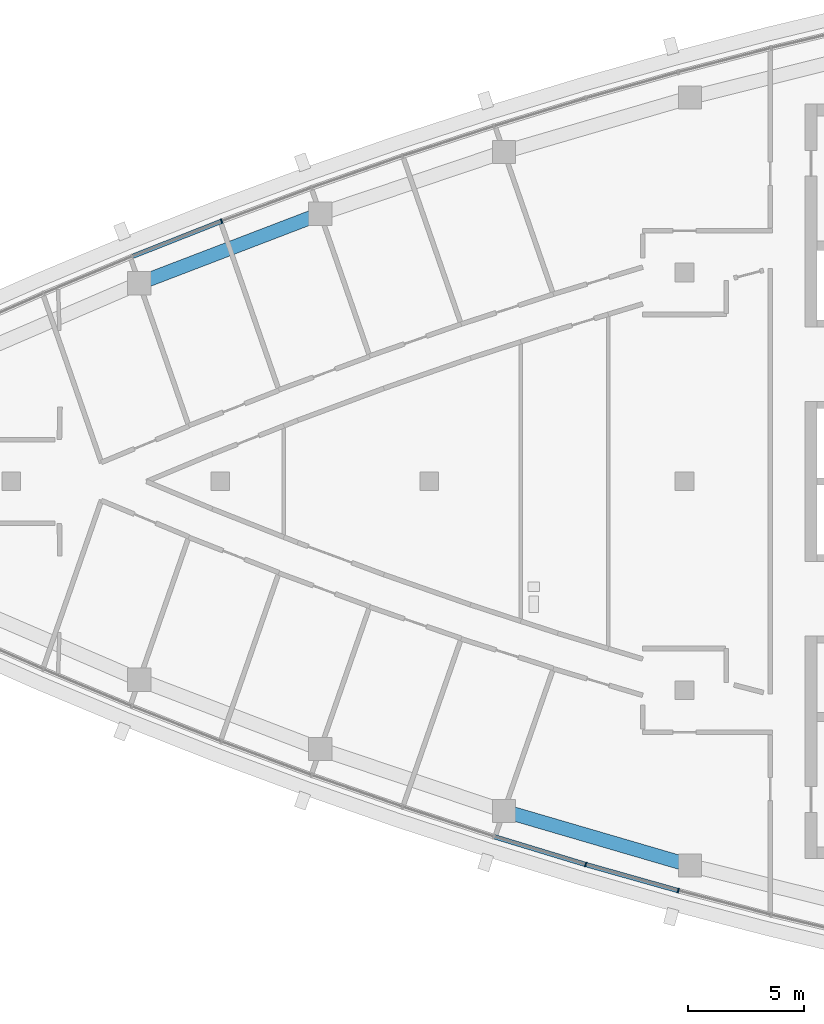
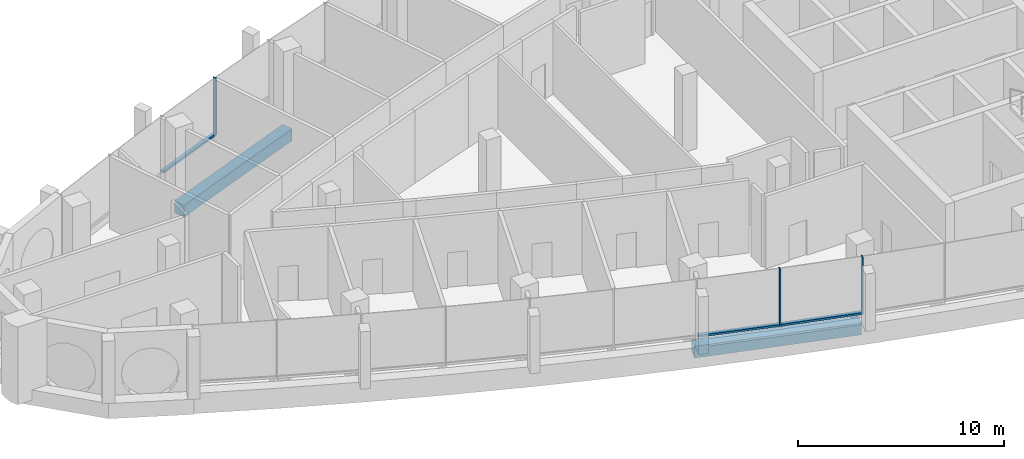
# One storey, part 3 of 15: 6 members, 2 beams, 2 elements without a shape of their own.
"""IFC4 building model written with IfcOpenShell, lengths in metres."""

from ifc_helpers import new_model, si_unit, direction, frame, origin, origin_2d, place, context, subcontext, project, spatial, rectangle, extrude, material, layer, layer_set, material_profile, profile_set, type_object, element, aggregate, save


model = new_model("IFC4")

# Units and contexts
model_context = context("Model", 3, precision=1e-05, world=origin(), true_north=direction((0.0, 1.0)))
body_context = subcontext(model_context, "Body", "Model", "MODEL_VIEW")
ifc_project = project(units=[si_unit("LENGTHUNIT", "METRE"), si_unit("AREAUNIT", "SQUARE_METRE"), si_unit("VOLUMEUNIT", "CUBIC_METRE"), si_unit("PLANEANGLEUNIT", "RADIAN"), si_unit("MASSUNIT", "GRAM", prefix="KILO")], contexts=[model_context])

# Site, building, storey
site_placement = place(None, origin())
site = spatial("IfcSite", under=ifc_project, at=site_placement, CompositionType="ELEMENT")
building_placement = place(site_placement, origin())
building = spatial("IfcBuilding", under=site, at=building_placement, Name="Ostrand Prow Hotel Tower", CompositionType="ELEMENT")
storey_placement = place(building_placement, frame((0.0, 0.0, 308.60009765625)))
storey = spatial("IfcBuildingStorey", under=building, at=storey_placement, Name="C1", CompositionType="ELEMENT", Elevation=308.60009765625)

# Beams
ifc_material_1 = material(Name="Concrete C40/50", Category="concrete")
ifc_material_profile_1 = material_profile(ifc_material_1, rectangle(XDim=0.60009765625, YDim=0.699951171875, at=origin_2d()), Name="RC 600x700")
ifc_profile_set_1 = profile_set([ifc_material_profile_1], Name="Concrete C40/50")
beam_type = type_object("IfcBeamType", Name="Edge beam 600x700 C40/50", PredefinedType="SPANDREL", material=ifc_profile_set_1)
for number, where, z_axis, x_axis, name in (
    (1, (37.22119140625, -14.19580078125, -0.650146484375), (0.959821966031, -0.280609681809, 0.0), (0.280609681809, 0.959821966031, 0.0), "Edge beam S4-S5"),
    (2, (29.31005859375, 11.528076171875, -0.650146484375), (-0.933761753797, -0.357895218111, 0.0), (0.357895218111, -0.933761753797, 0.0), "Edge beam N4-N5"),
):
    element("IfcBeam", number, at=place(storey_placement, frame(where, z_axis=z_axis, x_axis=x_axis)), inside=storey, type_object=beam_type, Name=name, PredefinedType="SPANDREL", context=body_context, shape_type="SweptSolid", body=[
        extrude(rectangle(XDim=0.60009765625, YDim=0.699951171875, at=origin_2d()), origin(), (0.0, 0.0, 1.0), 8.348876953125),
    ])

# Curtain wall, members
ifc_material_2 = material(Name="Insulated glass in bronze anodised frame", Category="glass")
ifc_layer = layer(ifc_material_2, 0.199951171875)
ifc_layer_set = layer_set([ifc_layer], Name="Insulated glass in bronze anodised frame")
curtain_wall_type = type_object("IfcCurtainWallType", Name="Observation and restaurant glazing wall", PredefinedType="NOTDEFINED", material=ifc_layer_set)
curtain_wall_1_placement = place(storey_placement, origin())
curtain_wall_1 = element("IfcCurtainWall", 3, at=curtain_wall_1_placement, inside=storey, type_object=curtain_wall_type, Name="CW6 run CWS4", PredefinedType="NOTDEFINED")
ifc_material_3 = material(Name="Bronze anodised aluminium", Category="aluminium")
ifc_material_profile_2 = material_profile(ifc_material_3, rectangle(XDim=0.199951171875, YDim=0.06005859375, at=origin_2d()), Name="Mullion 60x200 bronze anodised aluminium")
ifc_profile_set_2 = profile_set([ifc_material_profile_2], Name="Bronze anodised aluminium")
member_type_1 = type_object("IfcMemberType", Name="Mullion 60x200 bronze anodised aluminium", PredefinedType="MULLION", material=ifc_profile_set_2)
member_1_placement = place(storey_placement, frame((40.744384765625, -16.502197265625, 0.89990234375), z_axis=(0.0, 0.0, 1.0), x_axis=(0.271648738865, 0.962396468548, 0.0)))
member_1 = element("IfcMember", 4, at=member_1_placement, type_object=member_type_1, Name="CW6 mullion 2", PredefinedType="MULLION", context=body_context, shape_type="SweptSolid", body=[
    extrude(rectangle(XDim=0.199951171875, YDim=0.06005859375, at=origin_2d()), origin(), (0.0, 0.0, 1.0), 3.39990234375),
])
member_2_placement = place(storey_placement, frame((44.728515625, -17.626708984375, 0.89990234375), z_axis=(0.0, 0.0, 1.0), x_axis=(0.271648738865, 0.962396468548, 0.0)))
member_2 = element("IfcMember", 5, at=member_2_placement, type_object=member_type_1, Name="CW6 mullion 3", PredefinedType="MULLION", context=body_context, shape_type="SweptSolid", body=[
    extrude(rectangle(XDim=0.199951171875, YDim=0.06005859375, at=origin_2d()), origin(), (0.0, 0.0, 1.0), 3.39990234375),
])

# Curtain wall, member
curtain_wall_2_placement = place(storey_placement, origin())
curtain_wall_2 = element("IfcCurtainWall", 6, at=curtain_wall_2_placement, inside=storey, type_object=curtain_wall_type, Name="CW6 run CWN4", PredefinedType="NOTDEFINED")
member_3_placement = place(storey_placement, frame((25.05810546875, 11.210205078125, 0.89990234375), z_axis=(0.0, 0.0, 1.0), x_axis=(0.366845465248, -0.930281895249, 0.0)))
member_3 = element("IfcMember", 7, at=member_3_placement, type_object=member_type_1, Name="CW6 mullion 2", PredefinedType="MULLION", context=body_context, shape_type="SweptSolid", body=[
    extrude(rectangle(XDim=0.199951171875, YDim=0.06005859375, at=origin_2d()), origin(), (0.0, 0.0, 1.0), 3.39990234375),
])

# Member
ifc_material_4 = material(Name="Bronze anodised aluminium", Category="aluminium")
ifc_material_profile_3 = material_profile(ifc_material_4, rectangle(XDim=0.199951171875, YDim=0.1201171875, at=origin_2d()), Name="Transom 120x200 bronze anodised aluminium")
ifc_profile_set_3 = profile_set([ifc_material_profile_3], Name="Bronze anodised aluminium")
member_type_2 = type_object("IfcMemberType", Name="Transom 120x200 bronze anodised aluminium", PredefinedType="USERDEFINED", material=ifc_profile_set_3)
member_4_placement = place(storey_placement, frame((36.8125, -15.306396484375, 0.9599609375), z_axis=(0.956739081124, -0.290947298751, 0.0), x_axis=(0.290947298751, 0.956739081124, 0.0)))
member_4 = element("IfcMember", 8, at=member_4_placement, type_object=member_type_2, Name="CW6 transom 1.1", ObjectType="TRANSOM", PredefinedType="USERDEFINED", context=body_context, shape_type="SweptSolid", body=[
    extrude(rectangle(XDim=0.199951171875, YDim=0.1201171875, at=origin_2d()), origin(), (0.0, 0.0, 1.0), 4.079833984375),
])

member_5_placement = place(storey_placement, frame((40.7734375, -16.51025390625, 0.9599609375), z_axis=(0.962386308628, -0.271684730828, 0.0), x_axis=(0.271684730828, 0.962386308628, 0.0)))
member_5 = element("IfcMember", 9, at=member_5_placement, type_object=member_type_2, Name="CW6 transom 2.1", ObjectType="TRANSOM", PredefinedType="USERDEFINED", context=body_context, shape_type="SweptSolid", body=[
    extrude(rectangle(XDim=0.199951171875, YDim=0.1201171875, at=origin_2d()), origin(), (0.0, 0.0, 1.0), 4.079833984375),
])

aggregate(curtain_wall_1, [member_1, member_2, member_4, member_5])

member_6_placement = place(storey_placement, frame((25.0302734375, 11.19921875, 0.9599609375), z_axis=(-0.930289613186, -0.366825892759, 0.0), x_axis=(0.366825892759, -0.930289613186, 0.0)))
member_6 = element("IfcMember", 10, at=member_6_placement, type_object=member_type_2, Name="CW6 transom 2.1", ObjectType="TRANSOM", PredefinedType="USERDEFINED", context=body_context, shape_type="SweptSolid", body=[
    extrude(rectangle(XDim=0.199951171875, YDim=0.1201171875, at=origin_2d()), origin(), (0.0, 0.0, 1.0), 4.079833984375),
])

aggregate(curtain_wall_2, [member_3, member_6])

save(model, "model.ifc")
